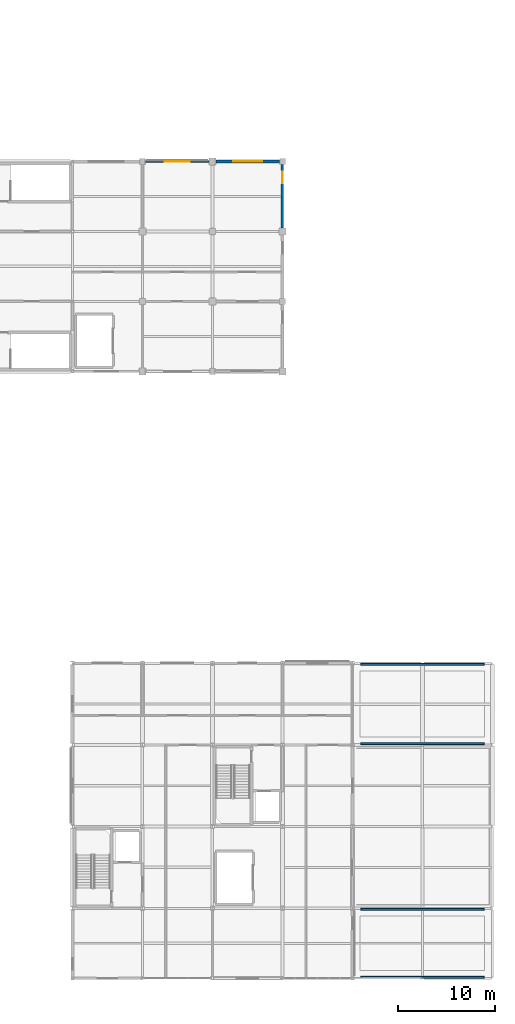
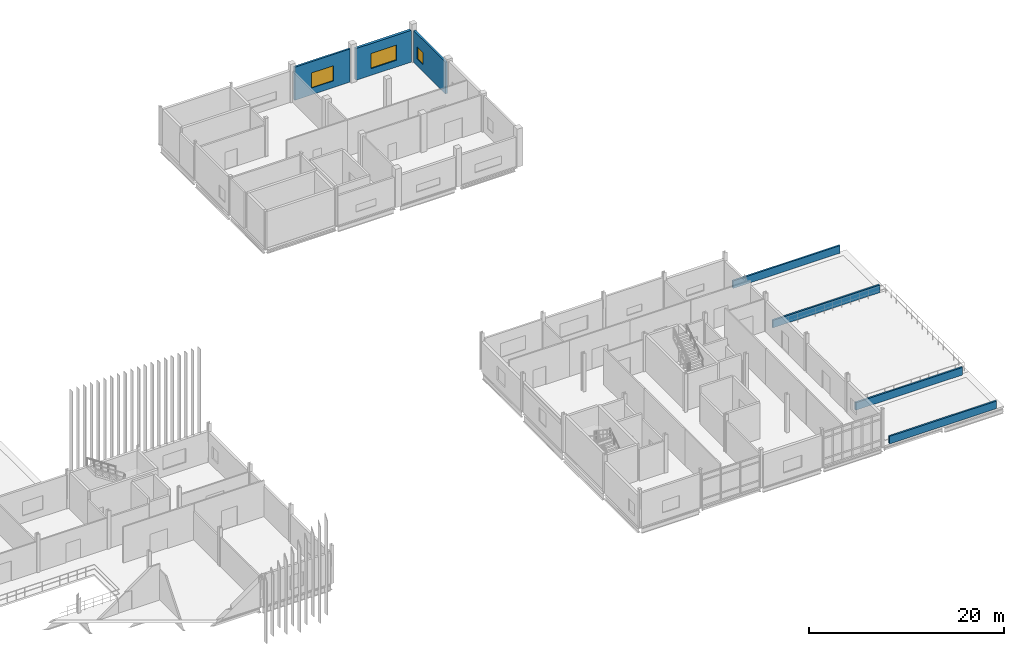
# One storey, part 54 of 72: 7 walls, 3 windows, 3 openings.
"""IFC4 building model written with IfcOpenShell, lengths in metres."""

from ifc_helpers import new_model, si_unit, direction, frame, frame_2d, origin, place, context, subcontext, project, spatial, rectangle, extrude, material, layer, layer_set, type_object, element, fill, save


model = new_model("IFC4")

# Units and contexts
model_context = context("Model", 3, precision=1e-05, world=origin(), true_north=direction((0.0, 1.0)))
body_context = subcontext(model_context, "Body", "Model", "MODEL_VIEW")
ifc_project = project(units=[si_unit("LENGTHUNIT", "METRE"), si_unit("AREAUNIT", "SQUARE_METRE"), si_unit("VOLUMEUNIT", "CUBIC_METRE"), si_unit("PLANEANGLEUNIT", "RADIAN"), si_unit("MASSUNIT", "GRAM", prefix="KILO")], contexts=[model_context])

# Site, building, storey
site_placement = place(None, origin())
site = spatial("IfcSite", under=ifc_project, at=site_placement, CompositionType="ELEMENT")
building_placement = place(site_placement, origin())
building = spatial("IfcBuilding", under=site, at=building_placement, Name="Calvrana Isthmian Art Gallery", CompositionType="ELEMENT")
storey_placement = place(building_placement, frame((0.0, 0.0, 15.0)))
storey = spatial("IfcBuildingStorey", under=building, at=storey_placement, Name="L03", CompositionType="ELEMENT", Elevation=15.0)

# Wall, opening, window
ifc_material_1 = material(Name="Precast concrete C40/50", Category="concrete")
ifc_layer_1 = layer(ifc_material_1, 0.219970703125, Name="Precast concrete C40/50")
ifc_layer_set_1 = layer_set([ifc_layer_1], Name="Precast concrete C40/50")
wall_type_1 = type_object("IfcWallType", Name="EW-ACOUST-220", PredefinedType="SOLIDWALL", material=ifc_layer_set_1)
wall_1_placement = place(storey_placement, frame((120.300048828125, 98.39990234375, 0.0), z_axis=(0.0, 0.0, 1.0), x_axis=(1.0, 0.0, 0.0)))
wall_1 = element("IfcWall", 1, at=wall_1_placement, inside=storey, type_object=wall_type_1, Name="Exterior wall EW-160", PredefinedType="SOLIDWALL", context=body_context, shape_type="SweptSolid", body=[
    extrude(rectangle(XDim=6.550048828125, YDim=0.219970703125, at=frame_2d((3.27490234375, 0.0))), origin(), (0.0, 0.0, 1.0), 4.1640625),
])
opening_1_placement = place(wall_1_placement, frame((1.97509765625, 0.0, 0.85009765625)))
opening_1 = element("IfcOpeningElement", 2, at=opening_1_placement, cuts=wall_1, Name="Opening W-116", PredefinedType="OPENING", context=body_context, shape_type="SweptSolid", body=[
    extrude(rectangle(XDim=2.60009765625, YDim=1.89990234375, at=frame_2d((1.300048828125, 0.949951171875))), frame((0.0, 0.1201171875, 0.0), z_axis=(0.0, -1.0, 0.0), x_axis=(1.0, 0.0, 0.0)), (0.0, 0.0, 1.0), 0.240478515625),
])
ifc_material_2 = material(Name="Low-E laminated solar glass", Category="glass")
window_type_1 = type_object("IfcWindowType", Name="WN-S01", PartitioningType="DOUBLE_PANEL_VERTICAL", PredefinedType="WINDOW", material=ifc_material_2)
window_1_placement = place(opening_1_placement, origin())
window_1 = element("IfcWindow", 3, at=window_1_placement, inside=storey, type_object=window_type_1, Name="Facade window W-116", OverallHeight=1.89990234375, OverallWidth=2.60009765625, PartitioningType="SINGLE_PANEL", PredefinedType="WINDOW", context=body_context, shape_type="SweptSolid", body=[
    extrude(rectangle(XDim=2.60009765625, YDim=1.89990234375, at=frame_2d((1.300048828125, 0.949951171875))), frame((0.0, 0.030029296875, 0.0), z_axis=(0.0, -1.0, 0.0), x_axis=(1.0, 0.0, 0.0)), (0.0, 0.0, 1.0), 0.06005859375),
])
fill(opening_1, window_1)

ifc_material_3 = material(Name="Pale Isthmian limestone", Category="masonry")
ifc_layer_2 = layer(ifc_material_3, 0.300048828125, Name="Pale Isthmian limestone")
ifc_layer_set_2 = layer_set([ifc_layer_2], Name="Pale Isthmian limestone")
wall_type_2 = type_object("IfcWallType", Name="EW-LIME-300", PredefinedType="SOLIDWALL", material=ifc_layer_set_2)
wall_2_placement = place(storey_placement, frame((127.550048828125, 98.39990234375, 0.0), z_axis=(0.0, 0.0, 1.0), x_axis=(1.0, 0.0, 0.0)))
wall_2 = element("IfcWall", 4, at=wall_2_placement, inside=storey, type_object=wall_type_2, Name="Exterior wall EW-161", PredefinedType="SOLIDWALL", context=body_context, shape_type="SweptSolid", body=[
    extrude(rectangle(XDim=6.550048828125, YDim=0.300048828125, at=frame_2d((3.27490234375, 0.0))), origin(), (0.0, 0.0, 1.0), 3.987060546875),
])
opening_2_placement = place(wall_2_placement, frame((1.77490234375, 0.0, 0.85009765625)))
opening_2 = element("IfcOpeningElement", 5, at=opening_2_placement, cuts=wall_2, Name="Opening W-117", PredefinedType="OPENING", context=body_context, shape_type="SweptSolid", body=[
    extrude(rectangle(XDim=3.0, YDim=1.89990234375, at=frame_2d((1.5, 0.949951171875))), frame((0.0, 0.16015625, 0.0), z_axis=(0.0, -1.0, 0.0), x_axis=(1.0, 0.0, 0.0)), (0.0, 0.0, 1.0), 0.320556640625),
])
window_type_2 = type_object("IfcWindowType", Name="WN-S02", PartitioningType="DOUBLE_PANEL_VERTICAL", PredefinedType="WINDOW", material=ifc_material_2)
window_2_placement = place(opening_2_placement, origin())
window_2 = element("IfcWindow", 6, at=window_2_placement, inside=storey, type_object=window_type_2, Name="Facade window W-117", OverallHeight=1.89990234375, OverallWidth=3.0, PartitioningType="SINGLE_PANEL", PredefinedType="WINDOW", context=body_context, shape_type="SweptSolid", body=[
    extrude(rectangle(XDim=3.0, YDim=1.89990234375, at=frame_2d((1.5, 0.949951171875))), frame((0.0, 0.030029296875, 0.0), z_axis=(0.0, -1.0, 0.0), x_axis=(1.0, 0.0, 0.0)), (0.0, 0.0, 1.0), 0.06005859375),
])
fill(opening_2, window_2)

ifc_material_4 = material(Name="Polychrome glazed terracotta", Category="masonry")
ifc_layer_3 = layer(ifc_material_4, 0.25, Name="Polychrome glazed terracotta")
ifc_layer_set_3 = layer_set([ifc_layer_3], Name="Polychrome glazed terracotta")
wall_type_3 = type_object("IfcWallType", Name="EW-TERRA-250", PredefinedType="SOLIDWALL", material=ifc_layer_set_3)
wall_3_placement = place(storey_placement, frame((134.39990234375, 98.10009765625, 0.0), z_axis=(0.0, 0.0, 1.0), x_axis=(0.0, -1.0, 0.0)))
wall_3 = element("IfcWall", 7, at=wall_3_placement, inside=storey, type_object=wall_type_3, Name="Exterior wall EW-174", PredefinedType="SOLIDWALL", context=body_context, shape_type="SweptSolid", body=[
    extrude(rectangle(XDim=6.550048828125, YDim=0.25, at=frame_2d((3.27490234375, 0.0))), origin(), (0.0, 0.0, 1.0), 3.987060546875),
])
opening_3_placement = place(wall_3_placement, frame((0.75, 0.0, 0.89990234375)))
opening_3 = element("IfcOpeningElement", 8, at=opening_3_placement, cuts=wall_3, Name="Opening W-130", PredefinedType="OPENING", context=body_context, shape_type="SweptSolid", body=[
    extrude(rectangle(XDim=1.199951171875, YDim=1.5, at=frame_2d((0.60009765625, 0.75))), frame((0.0, 0.13525390625, 0.0), z_axis=(0.0, -1.0, 0.0), x_axis=(1.0, 0.0, 0.0)), (0.0, 0.0, 1.0), 0.2705078125),
])
window_type_3 = type_object("IfcWindowType", Name="WN-G01", PartitioningType="SINGLE_PANEL", PredefinedType="WINDOW", material=ifc_material_2)
window_3_placement = place(opening_3_placement, origin())
window_3 = element("IfcWindow", 9, at=window_3_placement, inside=storey, type_object=window_type_3, Name="Facade window W-130", OverallHeight=1.5, OverallWidth=1.199951171875, PartitioningType="SINGLE_PANEL", PredefinedType="WINDOW", context=body_context, shape_type="SweptSolid", body=[
    extrude(rectangle(XDim=1.199951171875, YDim=1.5, at=frame_2d((0.60009765625, 0.75))), frame((0.0, 0.030029296875, 0.0), z_axis=(0.0, -1.0, 0.0), x_axis=(1.0, 0.0, 0.0)), (0.0, 0.0, 1.0), 0.06005859375),
])
fill(opening_3, window_3)

# Walls
ifc_layer_4 = layer(ifc_material_3, 0.199951171875, Name="Pale Isthmian limestone")
ifc_layer_set_4 = layer_set([ifc_layer_4], Name="Pale Isthmian limestone")
wall_type_4 = type_object("IfcWallType", Name="WL-PARA-200", PredefinedType="PARAPET", material=ifc_layer_set_4)
for number, where, z_axis, x_axis, name in (
    (10, (142.449951171875, 14.52001953125, 0.0), (0.0, 0.0, 1.0), (1.0, 0.0, 0.0), "Roof parapet WP-28"),
    (11, (142.449951171875, 21.47998046875, 0.0), (0.0, 0.0, 1.0), (1.0, 0.0, 0.0), "Roof parapet WP-29"),
    (12, (142.449951171875, 38.52001953125, 0.0), (0.0, 0.0, 1.0), (1.0, 0.0, 0.0), "Roof parapet WP-30"),
    (13, (142.449951171875, 46.679931640625, 0.0), (0.0, 0.0, 1.0), (1.0, 0.0, 0.0), "Roof parapet WP-31"),
):
    element("IfcWall", number, at=place(storey_placement, frame(where, z_axis=z_axis, x_axis=x_axis)), inside=storey, type_object=wall_type_4, Name=name, PredefinedType="PARAPET", context=body_context, shape_type="SweptSolid", body=[
        extrude(rectangle(XDim=12.699951171875, YDim=0.199951171875, at=frame_2d((6.35009765625, 0.0))), origin(), (0.0, 0.0, 1.0), 0.949951171875),
    ])

save(model, "model.ifc")
